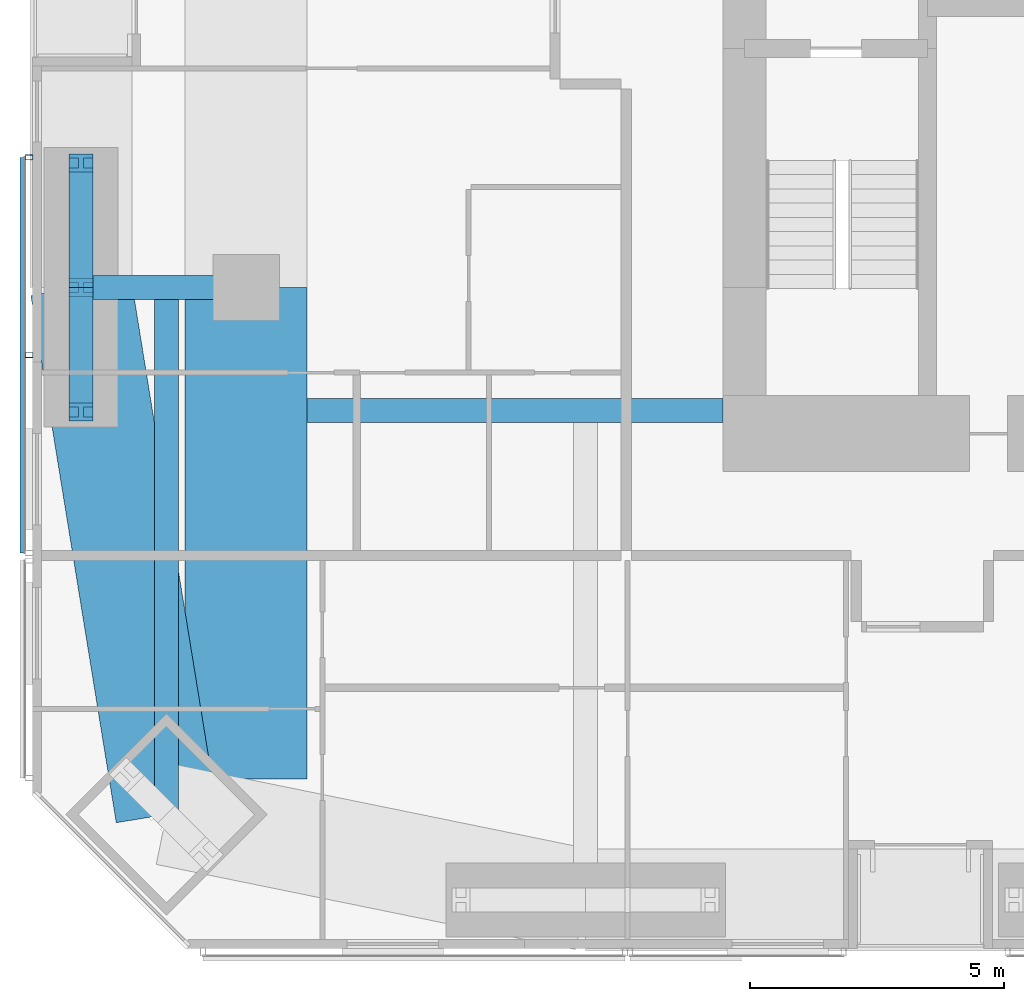
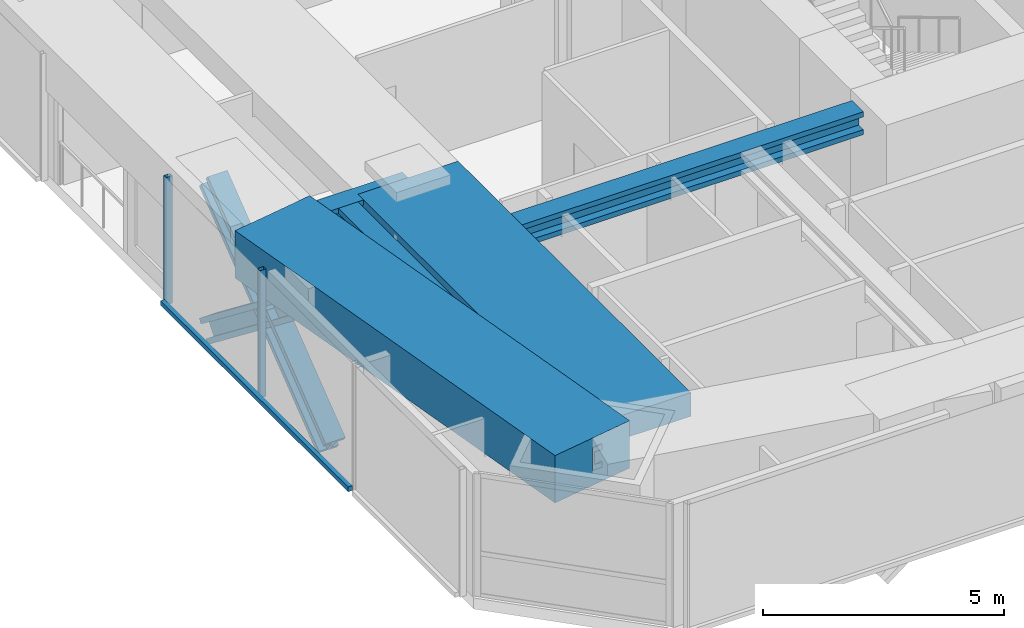
# One storey, part 3 of 23: 7 members, 5 beams, 1 element without a shape of its own.
"""IFC4 building model written with IfcOpenShell, lengths in metres."""

from ifc_helpers import new_model, si_unit, direction, frame, origin, origin_2d, place, context, subcontext, project, spatial, rectangle, hollow_rectangle, i_section, extrude, material, material_profile, profile_set, type_object, element, aggregate, save


model = new_model("IFC4")

# Units and contexts
model_context = context("Model", 3, precision=1e-05, world=origin(), true_north=direction((0.0, 1.0)))
body_context = subcontext(model_context, "Body", "Model", "MODEL_VIEW")
ifc_project = project(units=[si_unit("LENGTHUNIT", "METRE"), si_unit("AREAUNIT", "SQUARE_METRE"), si_unit("VOLUMEUNIT", "CUBIC_METRE"), si_unit("PLANEANGLEUNIT", "RADIAN"), si_unit("MASSUNIT", "GRAM", prefix="KILO")], contexts=[model_context])

# Site, building, storey
site_placement = place(None, origin())
site = spatial("IfcSite", under=ifc_project, at=site_placement, CompositionType="ELEMENT")
building_placement = place(site_placement, origin())
building = spatial("IfcBuilding", under=site, at=building_placement, Name="Jalousie Tower", CompositionType="ELEMENT")
storey_placement = place(building_placement, frame((0.0, 0.0, 84.75)))
storey = spatial("IfcBuildingStorey", under=building, at=storey_placement, Name="L22", CompositionType="ELEMENT", Elevation=84.75)

# Beams
ifc_material_1 = material(Name="Steel ASTM A992 Grade 50", Category="steel")
ifc_material_profile_1 = material_profile(ifc_material_1, i_section(OverallWidth=0.472412109375, OverallDepth=0.5791015625, WebThickness=0.094970703125, FlangeThickness=0.1298828125, at=origin_2d()), Name="W14X808")
ifc_profile_set_1 = profile_set([ifc_material_profile_1], Name="Steel ASTM A992 Grade 50")
beam_type_1 = type_object("IfcBeamType", Name="LEAN COLLECTOR W14X808", PredefinedType="BEAM", material=ifc_profile_set_1)
beam_1_placement = place(storey_placement, frame((6.949951171875, 13.0, 2.8203125), z_axis=(1.0, 0.0, 0.0), x_axis=(0.0, 1.0, 0.0)))
element("IfcBeam", 1, at=beam_1_placement, inside=storey, type_object=beam_type_1, Name="Lean collector under L23", PredefinedType="BEAM", context=body_context, shape_type="SweptSolid", body=[
    extrude(i_section(OverallWidth=0.472412109375, OverallDepth=0.5791015625, WebThickness=0.094970703125, FlangeThickness=0.1298828125, at=origin_2d()), origin(), (0.0, 0.0, 1.0), 3.25),
])
beam_2_placement = place(storey_placement, frame((11.39990234375, 10.574951171875, 2.8203125), z_axis=(1.0, 0.0, 0.0), x_axis=(0.0, 1.0, 0.0)))
element("IfcBeam", 2, at=beam_2_placement, inside=storey, type_object=beam_type_1, Name="Lean collector under L23", PredefinedType="BEAM", context=body_context, shape_type="SweptSolid", body=[
    extrude(i_section(OverallWidth=0.472412109375, OverallDepth=0.5791015625, WebThickness=0.094970703125, FlangeThickness=0.1298828125, at=origin_2d()), origin(), (0.0, 0.0, 1.0), 8.175048828125),
])
beam_3_placement = place(storey_placement, frame((8.63134765625, 2.63134765625, 2.8203125), z_axis=(0.0, 1.0, 0.0), x_axis=(-1.0, 0.0, 0.0)))
element("IfcBeam", 3, at=beam_3_placement, inside=storey, type_object=beam_type_1, Name="Lean collector under L23", PredefinedType="BEAM", context=body_context, shape_type="SweptSolid", body=[
    extrude(i_section(OverallWidth=0.472412109375, OverallDepth=0.5791015625, WebThickness=0.094970703125, FlangeThickness=0.1298828125, at=origin_2d()), origin(), (0.0, 0.0, 1.0), 10.36865234375),
])

# Members
ifc_material_2 = material(Name="Steel ASTM A992 Grade 50", Category="steel")
ifc_material_profile_2 = material_profile(ifc_material_2, i_section(OverallWidth=0.472412109375, OverallDepth=0.5791015625, WebThickness=0.094970703125, FlangeThickness=0.1298828125, at=origin_2d()), Name="W14X808")
ifc_profile_set_2 = profile_set([ifc_material_profile_2], Name="Steel ASTM A992 Grade 50")
member_type_1 = type_object("IfcMemberType", Name="PERIMETER BRACE W14X808", PredefinedType="BRACE", material=ifc_profile_set_2)
for number, where, z_axis, x_axis, name in (
    (4, (6.949951171875, 10.550048828125, -1.050048828125), (0.0, 0.790191006211, 0.612860647866), (-1.0, 0.0, 0.0), "Perimeter brace 14 L22 part 1"),
    (5, (6.949951171875, 13.0, 0.85009765625), (0.0, 0.790229140184, 0.612811476723), (-1.0, 0.0, 0.0), "Perimeter brace 14 L22 part 2"),
    (6, (6.949951171875, 15.449951171875, -1.050048828125), (0.0, -0.790191006211, 0.612860647866), (1.0, 0.0, 0.0), "Perimeter brace 14 L22 part 3"),
    (7, (6.949951171875, 13.0, 0.85009765625), (0.0, -0.790229140184, 0.612811476723), (1.0, 0.0, 0.0), "Perimeter brace 14 L22 part 4"),
):
    element("IfcMember", number, at=place(storey_placement, frame(where, z_axis=z_axis, x_axis=x_axis)), inside=storey, type_object=member_type_1, Name=name, PredefinedType="BRACE", context=body_context, shape_type="SweptSolid", body=[
        extrude(i_section(OverallWidth=0.472412109375, OverallDepth=0.5791015625, WebThickness=0.094970703125, FlangeThickness=0.1298828125, at=origin_2d()), origin(), (0.0, 0.0, 1.0), 3.100341796875),
    ])

# Beams
ifc_material_3 = material(Name="Concrete f'c 40 MPa", Category="concrete")
ifc_material_profile_3 = material_profile(ifc_material_3, rectangle(XDim=2.0, YDim=1.199951171875, at=origin_2d()), Name="RC 2000x1200")
ifc_profile_set_3 = profile_set([ifc_material_profile_3], Name="Concrete f'c 40 MPa")
beam_type_2 = type_object("IfcBeamType", Name="RC BEAM 2000x1200", PredefinedType="BEAM", material=ifc_profile_set_3)
beam_4_placement = place(storey_placement, frame((6.949951171875, 13.0, 2.75), z_axis=(0.160070546476, -0.987105577003, 0.0), x_axis=(0.987105577003, 0.160070546476, 0.0)))
element("IfcBeam", 8, at=beam_4_placement, inside=storey, type_object=beam_type_2, Name="Edge band beam 14-01 under L23", PredefinedType="BEAM", context=body_context, shape_type="SweptSolid", body=[
    extrude(rectangle(XDim=2.0, YDim=1.199951171875, at=origin_2d()), origin(), (0.0, 0.0, 1.0), 10.504150390625),
])
ifc_material_4 = material(Name="Concrete f'c 40 MPa", Category="concrete")
ifc_material_profile_4 = material_profile(ifc_material_4, rectangle(XDim=2.39990234375, YDim=0.60009765625, at=origin_2d()), Name="RC 2400x600")
ifc_profile_set_4 = profile_set([ifc_material_profile_4], Name="Concrete f'c 40 MPa")
beam_type_3 = type_object("IfcBeamType", Name="RC BEAM 2400x600", PredefinedType="BEAM", material=ifc_profile_set_4)
beam_5_placement = place(storey_placement, frame((10.199951171875, 13.0, 2.81005859375), z_axis=(0.0, -1.0, 0.0), x_axis=(1.0, 0.0, 0.0)))
element("IfcBeam", 9, at=beam_5_placement, inside=storey, type_object=beam_type_3, Name="Floor band beam under L23", PredefinedType="BEAM", context=body_context, shape_type="SweptSolid", body=[
    extrude(rectangle(XDim=2.39990234375, YDim=0.60009765625, at=origin_2d()), origin(), (0.0, 0.0, 1.0), 9.66796875),
])

# Curtain wall, members
ifc_material_5 = material(Name="Perforated aluminium sheet", Category="aluminium")
curtain_wall_type = type_object("IfcCurtainWallType", Name="SOLAR SCREEN SS-1", PredefinedType="USERDEFINED", material=ifc_material_5)
curtain_wall_placement = place(storey_placement, origin())
curtain_wall = element("IfcCurtainWall", 10, at=curtain_wall_placement, inside=storey, type_object=curtain_wall_type, Name="Solar screen L22", ObjectType="SOLAR SCREEN SS-1", PredefinedType="USERDEFINED")
ifc_material_6 = material(Name="Steel ASTM A500 Grade C", Category="steel")
ifc_material_profile_5 = material_profile(ifc_material_6, hollow_rectangle(XDim=0.1015625, YDim=0.15234375, WallThickness=0.00634765625, at=origin_2d()), Name="HSS6X4X1/4")
ifc_profile_set_5 = profile_set([ifc_material_profile_5], Name="Steel ASTM A500 Grade C")
member_type_2 = type_object("IfcMemberType", Name="SOLAR SCREEN SS-1 MULLION", PredefinedType="MULLION", material=ifc_profile_set_5)
member_1_placement = place(storey_placement, frame((5.9287109375, 15.55810546875, -0.1201171875), z_axis=(0.0, 0.0, 1.0), x_axis=(0.0, -1.0, 0.0)))
member_1 = element("IfcMember", 11, at=member_1_placement, type_object=member_type_2, Name="SS1 post 1", PredefinedType="MULLION", context=body_context, shape_type="SweptSolid", body=[
    extrude(hollow_rectangle(XDim=0.1015625, YDim=0.15234375, WallThickness=0.00634765625, at=origin_2d()), origin(), (0.0, 0.0, 1.0), 3.230224609375),
])
member_2_placement = place(storey_placement, frame((5.9287109375, 11.66650390625, -0.1201171875), z_axis=(0.0, 0.0, 1.0), x_axis=(0.0, -1.0, 0.0)))
member_2 = element("IfcMember", 12, at=member_2_placement, type_object=member_type_2, Name="SS1 post 2", PredefinedType="MULLION", context=body_context, shape_type="SweptSolid", body=[
    extrude(hollow_rectangle(XDim=0.1015625, YDim=0.15234375, WallThickness=0.00634765625, at=origin_2d()), origin(), (0.0, 0.0, 1.0), 3.230224609375),
])
ifc_material_7 = material(Name="Extruded aluminium screen rail", Category="aluminium")
ifc_material_profile_6 = material_profile(ifc_material_7, rectangle(XDim=0.1015625, YDim=0.1201171875, at=origin_2d()), Name="RAIL 102x120")
ifc_profile_set_6 = profile_set([ifc_material_profile_6], Name="Extruded aluminium screen rail")
member_type_3 = type_object("IfcMemberType", Name="SOLAR SCREEN SS-1 TRANSOM", PredefinedType="USERDEFINED", material=ifc_profile_set_6)
member_3_placement = place(storey_placement, frame((5.8017578125, 15.55810546875, -0.06005859375), z_axis=(0.0, -1.0, 0.0), x_axis=(1.0, 0.0, 0.0)))
member_3 = element("IfcMember", 13, at=member_3_placement, type_object=member_type_3, Name="SS1 rail", ObjectType="TRANSOM", PredefinedType="USERDEFINED", context=body_context, shape_type="SweptSolid", body=[
    extrude(rectangle(XDim=0.1015625, YDim=0.1201171875, at=origin_2d()), origin(), (0.0, 0.0, 1.0), 7.783203125),
])
aggregate(curtain_wall, [member_1, member_2, member_3])

save(model, "model.ifc")
